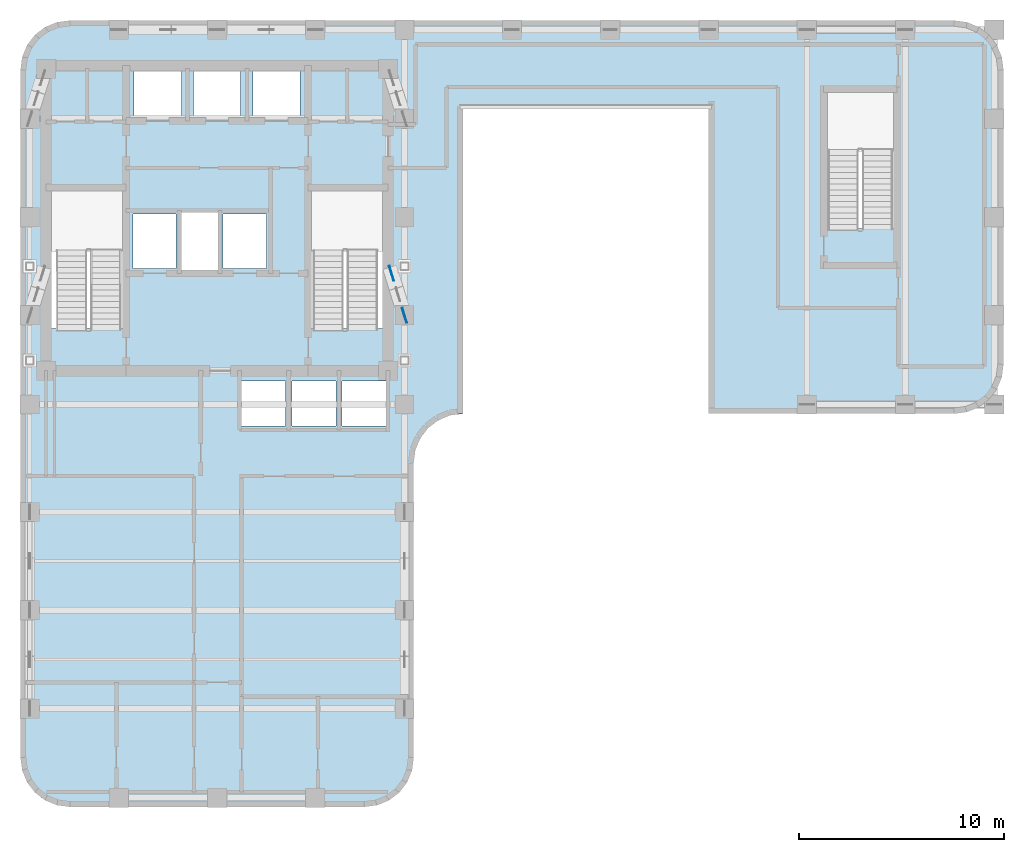
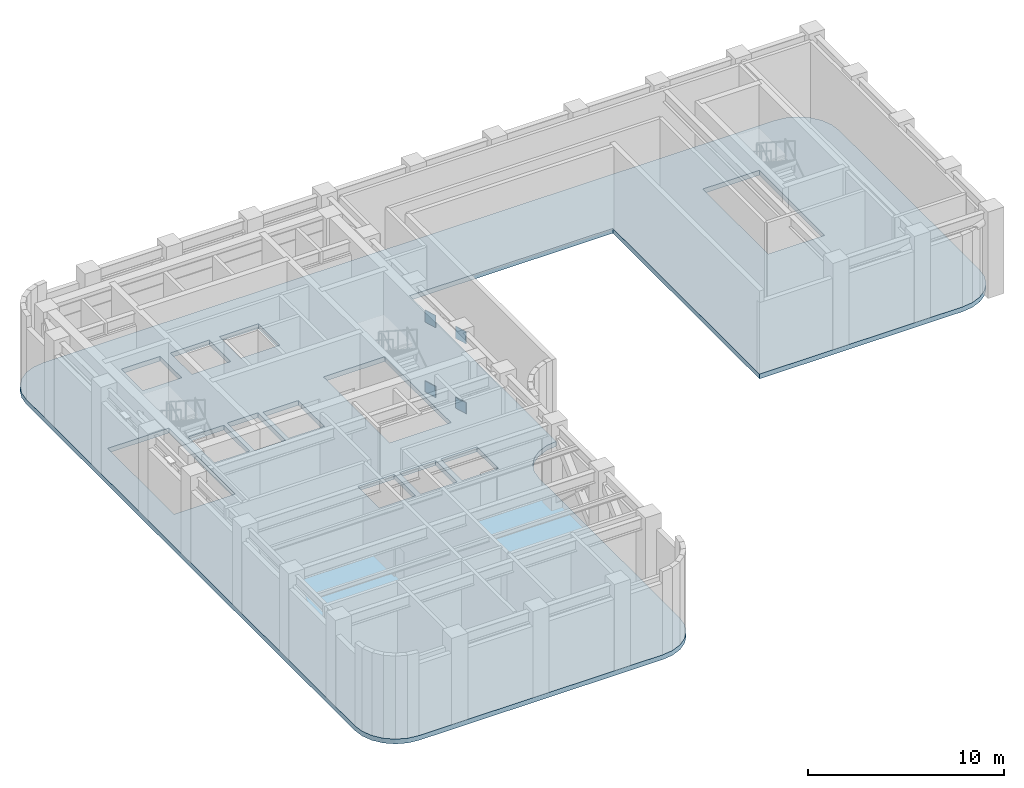
# One storey, part 3 of 9: 4 plates, 1 slab.
"""IFC4 building model written with IfcOpenShell, lengths in metres."""

from ifc_helpers import new_model, si_unit, direction, frame, origin, origin_2d, place, context, subcontext, project, spatial, polyline, rectangle, outline, extrude, material, layer, layer_set, type_object, element, save


model = new_model("IFC4")

# Units and contexts
model_context = context("Model", 3, precision=1e-05, world=origin(), true_north=direction((0.0, 1.0)))
body_context = subcontext(model_context, "Body", "Model", "MODEL_VIEW")
ifc_project = project(units=[si_unit("LENGTHUNIT", "METRE"), si_unit("AREAUNIT", "SQUARE_METRE"), si_unit("VOLUMEUNIT", "CUBIC_METRE"), si_unit("PLANEANGLEUNIT", "RADIAN"), si_unit("MASSUNIT", "GRAM", prefix="KILO")], contexts=[model_context])

# Site, building, storey
site_placement = place(None, origin())
site = spatial("IfcSite", under=ifc_project, at=site_placement, CompositionType="ELEMENT")
building_placement = place(site_placement, origin())
building = spatial("IfcBuilding", under=site, at=building_placement, Name="Orvandelia Arch Residences", CompositionType="ELEMENT")
storey_placement = place(building_placement, frame((0.0, 0.0, 198.39990234375)))
storey = spatial("IfcBuildingStorey", under=building, at=storey_placement, Name="L52", CompositionType="ELEMENT", Elevation=198.39990234375)

# Plates
ifc_material_1 = material(Name="Structural Steel HSA650 (650 MPa)", Category="steel")
ifc_layer_1 = layer(ifc_material_1, 0.0400390625, Name="Structural Steel HSA650 (650 MPa)", Category="steel")
ifc_layer_set_1 = layer_set([ifc_layer_1], Name="Structural Steel HSA650 (650 MPa)")
plate_type = type_object("IfcPlateType", Name="PLT-GUSSET-750", PredefinedType="USERDEFINED", material=ifc_layer_set_1)
for number, where, z_axis, x_axis, name in (
    (1, (23.550048828125, 33.60009765625, -0.074951171875), (0.0, 0.0, 1.0), (-0.293756722797, 0.955880216246, 0.0), "Outrigger End Gusset Plate L52-OE-S-ALO"),
    (2, (22.919921875, 35.64990234375, -0.074951171875), (0.0, 0.0, 1.0), (-0.293756722797, 0.955880216246, 0.0), "Outrigger End Gusset Plate L52-OE-S-BLO"),
    (3, (23.550048828125, 33.60009765625, 4.35498046875), (0.0, 0.0, 1.0), (-0.293756722797, 0.955880216246, 0.0), "Outrigger End Gusset Plate L52-OE-S-AHI"),
    (4, (22.919921875, 35.64990234375, 4.35498046875), (0.0, 0.0, 1.0), (-0.293756722797, 0.955880216246, 0.0), "Outrigger End Gusset Plate L52-OE-S-BHI"),
):
    element("IfcPlate", number, at=place(storey_placement, frame(where, z_axis=z_axis, x_axis=x_axis)), inside=storey, type_object=plate_type, Name=name, ObjectType="GUSSET_PLATE", PredefinedType="USERDEFINED", context=body_context, shape_type="SweptSolid", body=[
        extrude(rectangle(XDim=0.75, YDim=0.0400390625, at=origin_2d()), origin(), (0.0, 0.0, 1.0), 0.75),
    ])

# Slab
ifc_material_2 = material(Name="Concrete C50/60", Category="concrete")
ifc_layer_2 = layer(ifc_material_2, 0.300048828125, Name="Concrete C50/60", Category="concrete")
ifc_layer_set_2 = layer_set([ifc_layer_2], Name="Concrete C50/60")
slab_type = type_object("IfcSlabType", Name="SLB-OUT-300", PredefinedType="FLOOR", material=ifc_layer_set_2)
slab_placement = place(storey_placement, frame((0.0, 0.0, -0.2998046875)))
element("IfcSlab", 5, at=slab_placement, inside=storey, type_object=slab_type, Name="Structural Floor Slab L52-1", PredefinedType="FLOOR", context=body_context, shape_type="SweptSolid", body=[
    extrude(outline(polyline([(4.800048828125, 12.0), (4.8818359375, 11.37890625), (5.12158203125, 10.800048828125), (5.5029296875, 10.302978515625), (6.0, 9.92138671875), (6.578857421875, 9.681884765625), (7.199951171875, 9.60009765625), (21.60009765625, 9.60009765625), (22.22119140625, 9.681884765625), (22.800048828125, 9.92138671875), (23.297119140625, 10.302978515625), (23.678466796875, 10.800048828125), (23.918212890625, 11.37890625), (24.0, 12.0), (24.0, 26.39990234375), (24.081787109375, 27.021240234375), (24.321533203125, 27.60009765625), (24.702880859375, 28.09716796875), (25.199951171875, 28.478515625), (25.77880859375, 28.71826171875), (26.39990234375, 28.800048828125), (26.39990234375, 43.800048828125), (38.39990234375, 43.800048828125), (38.39990234375, 28.800048828125), (50.39990234375, 28.800048828125), (51.021240234375, 28.8818359375), (51.60009765625, 29.12158203125), (52.09716796875, 29.5029296875), (52.478515625, 30.0), (52.71826171875, 30.578857421875), (52.800048828125, 31.199951171875), (52.800048828125, 45.60009765625), (52.71826171875, 46.22119140625), (52.478515625, 46.800048828125), (52.09716796875, 47.297119140625), (51.60009765625, 47.678466796875), (51.021240234375, 47.918212890625), (50.39990234375, 48.0), (7.199951171875, 48.0), (6.578857421875, 47.918212890625), (6.0, 47.678466796875), (5.5029296875, 47.297119140625), (5.12158203125, 46.800048828125), (4.8818359375, 46.22119140625), (4.800048828125, 45.60009765625), (4.800048828125, 12.0)]), holes=[polyline([(6.219970703125, 32.949951171875), (9.840087890625, 32.949951171875), (9.840087890625, 39.72998046875), (6.219970703125, 39.72998046875), (6.219970703125, 32.949951171875)]), polyline([(18.9599609375, 32.949951171875), (22.580078125, 32.949951171875), (22.580078125, 39.72998046875), (18.9599609375, 39.72998046875), (18.9599609375, 32.949951171875)]), polyline([(44.139892578125, 37.85009765625), (47.47998046875, 37.85009765625), (47.47998046875, 44.5400390625), (44.139892578125, 44.5400390625), (44.139892578125, 37.85009765625)]), polyline([(12.639892578125, 35.81005859375), (14.4599609375, 35.81005859375), (14.4599609375, 38.639892578125), (12.639892578125, 38.639892578125), (12.639892578125, 35.81005859375)]), polyline([(10.300048828125, 35.89990234375), (12.39990234375, 35.89990234375), (12.39990234375, 38.550048828125), (10.300048828125, 38.550048828125), (10.300048828125, 35.89990234375)]), polyline([(14.699951171875, 35.89990234375), (16.800048828125, 35.89990234375), (16.800048828125, 38.550048828125), (14.699951171875, 38.550048828125), (14.699951171875, 35.89990234375)]), polyline([(10.35009765625, 43.300048828125), (12.64990234375, 43.300048828125), (12.64990234375, 45.5), (10.35009765625, 45.5), (10.35009765625, 43.300048828125)]), polyline([(13.25, 43.300048828125), (15.550048828125, 43.300048828125), (15.550048828125, 45.5), (13.25, 45.5), (13.25, 43.300048828125)]), polyline([(16.14990234375, 43.300048828125), (18.449951171875, 43.300048828125), (18.449951171875, 45.5), (16.14990234375, 45.5), (16.14990234375, 43.300048828125)]), polyline([(15.60009765625, 28.199951171875), (17.75, 28.199951171875), (17.75, 30.39990234375), (15.60009765625, 30.39990234375), (15.60009765625, 28.199951171875)]), polyline([(18.050048828125, 28.199951171875), (20.199951171875, 28.199951171875), (20.199951171875, 30.39990234375), (18.050048828125, 30.39990234375), (18.050048828125, 28.199951171875)]), polyline([(20.5, 28.199951171875), (22.64990234375, 28.199951171875), (22.64990234375, 30.39990234375), (20.5, 30.39990234375), (20.5, 28.199951171875)])]), origin(), (0.0, 0.0, 1.0), 0.2998046875),
])

save(model, "model.ifc")
